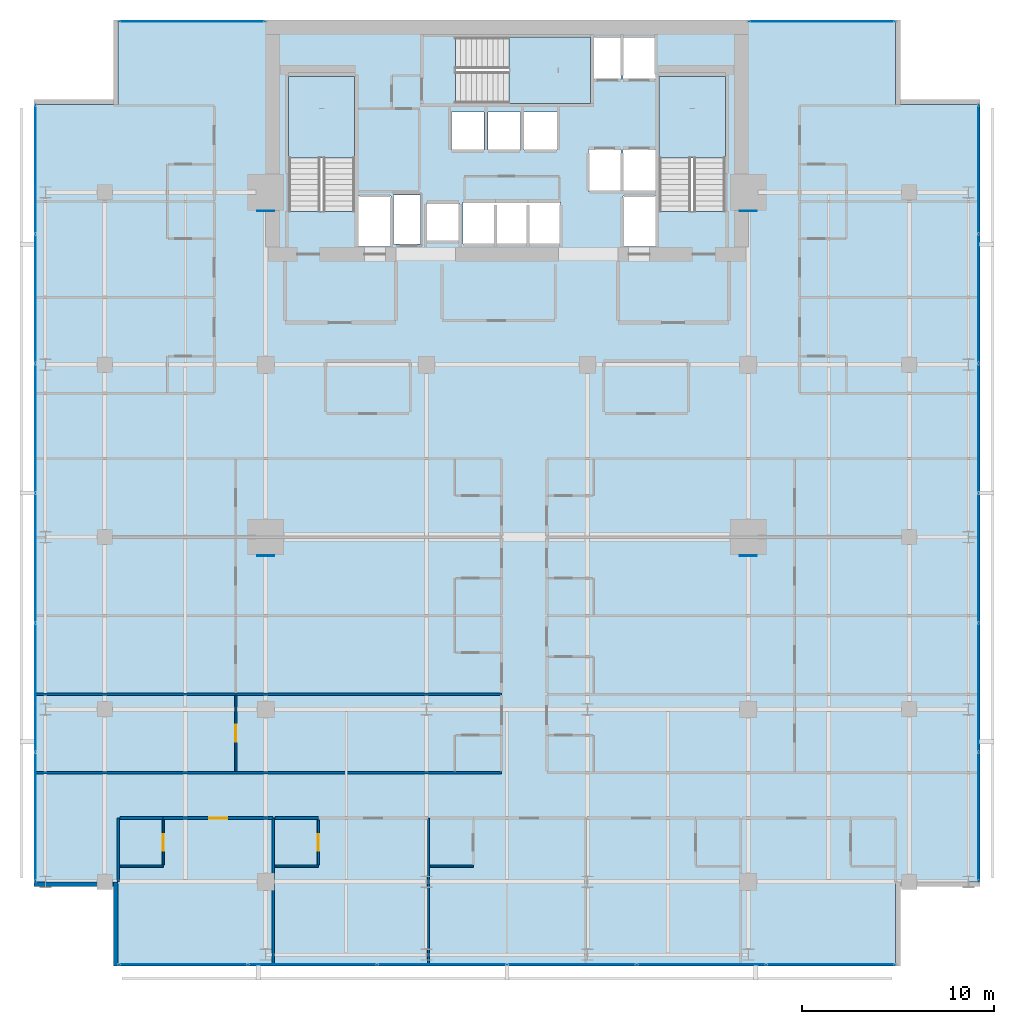
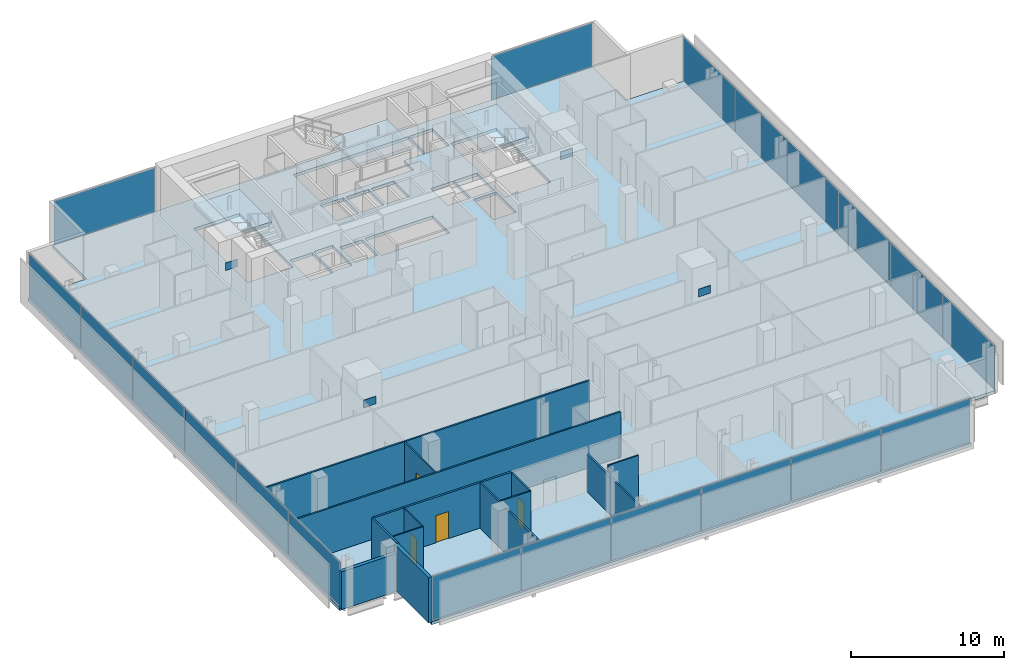
# One storey, part 26 of 34: 24 plates, 16 walls, 4 doors, 4 slabs, 4 openings, 8 elements without a shape of their own.
"""IFC4 building model written with IfcOpenShell, lengths in metres."""

from ifc_helpers import new_model, si_unit, direction, frame, frame_2d, origin, origin_2d, place, context, subcontext, project, spatial, polyline, rectangle, outline, extrude, material, layer, layer_set, type_object, element, fill, aggregate, save


model = new_model("IFC4")

# Units and contexts
model_context = context("Model", 3, precision=1e-05, world=origin(), true_north=direction((0.0, 1.0)))
body_context = subcontext(model_context, "Body", "Model", "MODEL_VIEW")
ifc_project = project(units=[si_unit("LENGTHUNIT", "METRE"), si_unit("AREAUNIT", "SQUARE_METRE"), si_unit("VOLUMEUNIT", "CUBIC_METRE"), si_unit("PLANEANGLEUNIT", "RADIAN"), si_unit("MASSUNIT", "GRAM", prefix="KILO")], contexts=[model_context])

# Site, building, storey
site_placement = place(None, origin())
site = spatial("IfcSite", under=ifc_project, at=site_placement, CompositionType="ELEMENT")
building_placement = place(site_placement, origin())
building = spatial("IfcBuilding", under=site, at=building_placement, Name="Maruvema Waterfront Hotel and Observation Tower", CompositionType="ELEMENT")
storey_placement = place(building_placement, frame((0.0, 0.0, 173.60009765625)))
storey = spatial("IfcBuildingStorey", under=building, at=storey_placement, Name="L42", CompositionType="ELEMENT", Elevation=173.60009765625)

# Slab
ifc_material_1 = material(Name="Concrete C50/60", Category="concrete")
ifc_layer_1 = layer(ifc_material_1, 0.239990234375, Name="Reinforced Concrete Floor Slab 240 mm")
ifc_layer_set_1 = layer_set([ifc_layer_1], Name="Concrete C50/60")
slab_type_1 = type_object("IfcSlabType", Name="Reinforced Concrete Floor Slab 240 mm", PredefinedType="FLOOR", material=ifc_layer_set_1)
slab_1_placement = place(storey_placement, frame((0.0, 0.0, -0.239990234375)))
element("IfcSlab", 1, at=slab_1_placement, inside=storey, type_object=slab_type_1, Name="L42 Structural Floor Slab", PredefinedType="FLOOR", context=body_context, shape_type="SweptSolid", body=[
    extrude(outline(polyline([(17.5, 4.60009765625), (58.10009765625, 4.60009765625), (58.10009765625, 9.0), (62.5, 9.0), (62.5, 49.60009765625), (58.10009765625, 49.60009765625), (58.10009765625, 54.0), (17.5, 54.0), (17.5, 49.60009765625), (13.10009765625, 49.60009765625), (13.10009765625, 9.0), (17.5, 9.0), (17.5, 4.60009765625)]), holes=[polyline([(26.39990234375, 44.00048828125), (26.39990234375, 51.050048828125), (29.85009765625, 51.050048828125), (29.85009765625, 44.00048828125), (26.39990234375, 44.00048828125)]), polyline([(30.050048828125, 44.800048828125), (31.75, 44.800048828125), (31.75, 42.169921875), (30.050048828125, 42.169921875), (30.050048828125, 44.800048828125)]), polyline([(31.8798828125, 44.860107421875), (33.280029296875, 44.860107421875), (33.280029296875, 42.2900390625), (31.8798828125, 42.2900390625), (31.8798828125, 44.860107421875)]), polyline([(33.60009765625, 44.449951171875), (35.300048828125, 44.449951171875), (35.300048828125, 42.449951171875), (33.60009765625, 42.449951171875), (33.60009765625, 44.449951171875)]), polyline([(34.89990234375, 49.199951171875), (36.60009765625, 49.199951171875), (36.60009765625, 47.199951171875), (34.89990234375, 47.199951171875), (34.89990234375, 49.199951171875)]), polyline([(36.800048828125, 49.199951171875), (38.5, 49.199951171875), (38.5, 47.199951171875), (36.800048828125, 47.199951171875), (36.800048828125, 49.199951171875)]), polyline([(35.5, 42.300048828125), (35.5, 44.5), (40.60009765625, 44.5), (40.60009765625, 42.300048828125), (35.5, 42.300048828125)]), polyline([(35.1005859375, 53.10009765625), (43.75, 53.10009765625), (43.75, 50.89990234375), (42.14990234375, 50.89990234375), (42.14990234375, 49.64990234375), (35.1005859375, 49.64990234375), (35.1005859375, 53.10009765625)]), polyline([(38.699951171875, 49.199951171875), (40.39990234375, 49.199951171875), (40.39990234375, 47.199951171875), (38.699951171875, 47.199951171875), (38.699951171875, 49.199951171875)]), polyline([(42.050048828125, 47.25), (43.75, 47.25), (43.75, 45.050048828125), (42.050048828125, 45.050048828125), (42.050048828125, 47.25)]), polyline([(43.85009765625, 44.800048828125), (45.550048828125, 44.800048828125), (45.550048828125, 42.169921875), (43.85009765625, 42.169921875), (43.85009765625, 44.800048828125)]), polyline([(43.85009765625, 47.25), (45.550048828125, 47.25), (45.550048828125, 45.050048828125), (43.85009765625, 45.050048828125), (43.85009765625, 47.25)]), polyline([(45.550048828125, 53.10009765625), (45.550048828125, 50.89990234375), (43.85009765625, 50.89990234375), (43.85009765625, 53.10009765625), (45.550048828125, 53.10009765625)]), polyline([(45.75, 44.00048828125), (45.75, 51.050048828125), (49.199951171875, 51.050048828125), (49.199951171875, 44.00048828125), (45.75, 44.00048828125)])]), origin(), (0.0, 0.0, 1.0), 0.239990234375),
])

# Curtain wall, plates
ifc_material_2 = material(Name="Anodised bronze aluminium and solar-control low-E IGU", Category="aluminium")
ifc_layer_2 = layer(ifc_material_2, 0.159912109375, Name="Zone 2 Amber Inner Thermal Curtain Wall System CW-03")
ifc_layer_set_2 = layer_set([ifc_layer_2], Name="Anodised bronze aluminium and solar-control low-E IGU")
curtain_wall_type = type_object("IfcCurtainWallType", Name="Zone 2 Amber Inner Thermal Curtain Wall System CW-03", PredefinedType="USERDEFINED", material=ifc_layer_set_2)
curtain_wall_1_placement = place(storey_placement, origin())
curtain_wall_1 = element("IfcCurtainWall", 2, at=curtain_wall_1_placement, inside=storey, type_object=curtain_wall_type, Name="L42 Curtain Wall CW-L42-S", ObjectType="UNITISED CURTAIN WALL", PredefinedType="USERDEFINED")
ifc_material_3 = material(Name="Laminated low-E solar-control double glazing", Category="glass")
ifc_layer_3 = layer(ifc_material_3, 0.035888671875, Name="Solar Control Double-Glazed Curtain Panel 36 mm")
ifc_layer_set_3 = layer_set([ifc_layer_3], Name="Laminated low-E solar-control double glazing")
plate_type_1 = type_object("IfcPlateType", Name="Solar Control Double-Glazed Curtain Panel 36 mm", PredefinedType="CURTAIN_PANEL", material=ifc_layer_set_3)
plate_1_placement = place(storey_placement, frame((20.8984375, 4.679931640625, 0.06005859375), z_axis=(0.0, 0.0, 1.0), x_axis=(1.0, 0.0, 0.0)))
plate_1 = element("IfcPlate", 3, at=plate_1_placement, type_object=plate_type_1, Name="CW-03 panel 1.1", PredefinedType="CURTAIN_PANEL", context=body_context, shape_type="SweptSolid", body=[
    extrude(rectangle(XDim=6.6767578125, YDim=0.028076171875, at=origin_2d()), origin(), (0.0, 0.0, 1.0), 3.489990234375),
])
plate_2_placement = place(storey_placement, frame((27.64990234375, 4.679931640625, 0.06005859375), z_axis=(0.0, 0.0, 1.0), x_axis=(1.0, 0.0, 0.0)))
plate_2 = element("IfcPlate", 4, at=plate_2_placement, type_object=plate_type_1, Name="CW-03 panel 2.1", PredefinedType="CURTAIN_PANEL", context=body_context, shape_type="SweptSolid", body=[
    extrude(rectangle(XDim=6.706787109375, YDim=0.028076171875, at=origin_2d()), origin(), (0.0, 0.0, 1.0), 3.489990234375),
])
plate_3_placement = place(storey_placement, frame((34.416748046875, 4.679931640625, 0.06005859375), z_axis=(0.0, 0.0, 1.0), x_axis=(1.0, 0.0, 0.0)))
plate_3 = element("IfcPlate", 5, at=plate_3_placement, type_object=plate_type_1, Name="CW-03 panel 3.1", PredefinedType="CURTAIN_PANEL", context=body_context, shape_type="SweptSolid", body=[
    extrude(rectangle(XDim=6.706787109375, YDim=0.028076171875, at=origin_2d()), origin(), (0.0, 0.0, 1.0), 3.489990234375),
])
plate_4_placement = place(storey_placement, frame((41.183349609375, 4.679931640625, 0.06005859375), z_axis=(0.0, 0.0, 1.0), x_axis=(1.0, 0.0, 0.0)))
plate_4 = element("IfcPlate", 6, at=plate_4_placement, type_object=plate_type_1, Name="CW-03 panel 4.1", PredefinedType="CURTAIN_PANEL", context=body_context, shape_type="SweptSolid", body=[
    extrude(rectangle(XDim=6.706787109375, YDim=0.028076171875, at=origin_2d()), origin(), (0.0, 0.0, 1.0), 3.489990234375),
])
plate_5_placement = place(storey_placement, frame((47.949951171875, 4.679931640625, 0.06005859375), z_axis=(0.0, 0.0, 1.0), x_axis=(1.0, 0.0, 0.0)))
plate_5 = element("IfcPlate", 7, at=plate_5_placement, type_object=plate_type_1, Name="CW-03 panel 5.1", PredefinedType="CURTAIN_PANEL", context=body_context, shape_type="SweptSolid", body=[
    extrude(rectangle(XDim=6.706787109375, YDim=0.028076171875, at=origin_2d()), origin(), (0.0, 0.0, 1.0), 3.489990234375),
])
plate_6_placement = place(storey_placement, frame((54.70166015625, 4.679931640625, 0.06005859375), z_axis=(0.0, 0.0, 1.0), x_axis=(1.0, 0.0, 0.0)))
plate_6 = element("IfcPlate", 8, at=plate_6_placement, type_object=plate_type_1, Name="CW-03 panel 6.1", PredefinedType="CURTAIN_PANEL", context=body_context, shape_type="SweptSolid", body=[
    extrude(rectangle(XDim=6.6767578125, YDim=0.028076171875, at=origin_2d()), origin(), (0.0, 0.0, 1.0), 3.489990234375),
])
aggregate(curtain_wall_1, [plate_1, plate_2, plate_3, plate_4, plate_5, plate_6])

curtain_wall_2_placement = place(storey_placement, origin())
curtain_wall_2 = element("IfcCurtainWall", 9, at=curtain_wall_2_placement, inside=storey, type_object=curtain_wall_type, Name="L42 Curtain Wall CW-L42-E", ObjectType="UNITISED CURTAIN WALL", PredefinedType="USERDEFINED")
plate_7_placement = place(storey_placement, frame((62.419921875, 12.3984375, 0.06005859375), z_axis=(0.0, 0.0, 1.0), x_axis=(0.0, 1.0, 0.0)))
plate_7 = element("IfcPlate", 10, at=plate_7_placement, type_object=plate_type_1, Name="CW-03 panel 1.1", PredefinedType="CURTAIN_PANEL", context=body_context, shape_type="SweptSolid", body=[
    extrude(rectangle(XDim=6.6767578125, YDim=0.028076171875, at=origin_2d()), origin(), (0.0, 0.0, 1.0), 3.489990234375),
])
plate_8_placement = place(storey_placement, frame((62.419921875, 19.14990234375, 0.06005859375), z_axis=(0.0, 0.0, 1.0), x_axis=(0.0, 1.0, 0.0)))
plate_8 = element("IfcPlate", 11, at=plate_8_placement, type_object=plate_type_1, Name="CW-03 panel 2.1", PredefinedType="CURTAIN_PANEL", context=body_context, shape_type="SweptSolid", body=[
    extrude(rectangle(XDim=6.706787109375, YDim=0.028076171875, at=origin_2d()), origin(), (0.0, 0.0, 1.0), 3.489990234375),
])
plate_9_placement = place(storey_placement, frame((62.419921875, 25.916748046875, 0.06005859375), z_axis=(0.0, 0.0, 1.0), x_axis=(0.0, 1.0, 0.0)))
plate_9 = element("IfcPlate", 12, at=plate_9_placement, type_object=plate_type_1, Name="CW-03 panel 3.1", PredefinedType="CURTAIN_PANEL", context=body_context, shape_type="SweptSolid", body=[
    extrude(rectangle(XDim=6.706787109375, YDim=0.028076171875, at=origin_2d()), origin(), (0.0, 0.0, 1.0), 3.489990234375),
])
plate_10_placement = place(storey_placement, frame((62.419921875, 32.683349609375, 0.06005859375), z_axis=(0.0, 0.0, 1.0), x_axis=(0.0, 1.0, 0.0)))
plate_10 = element("IfcPlate", 13, at=plate_10_placement, type_object=plate_type_1, Name="CW-03 panel 4.1", PredefinedType="CURTAIN_PANEL", context=body_context, shape_type="SweptSolid", body=[
    extrude(rectangle(XDim=6.706787109375, YDim=0.028076171875, at=origin_2d()), origin(), (0.0, 0.0, 1.0), 3.489990234375),
])
plate_11_placement = place(storey_placement, frame((62.419921875, 39.449951171875, 0.06005859375), z_axis=(0.0, 0.0, 1.0), x_axis=(0.0, 1.0, 0.0)))
plate_11 = element("IfcPlate", 14, at=plate_11_placement, type_object=plate_type_1, Name="CW-03 panel 5.1", PredefinedType="CURTAIN_PANEL", context=body_context, shape_type="SweptSolid", body=[
    extrude(rectangle(XDim=6.706787109375, YDim=0.028076171875, at=origin_2d()), origin(), (0.0, 0.0, 1.0), 3.489990234375),
])
plate_12_placement = place(storey_placement, frame((62.419921875, 46.20166015625, 0.06005859375), z_axis=(0.0, 0.0, 1.0), x_axis=(0.0, 1.0, 0.0)))
plate_12 = element("IfcPlate", 15, at=plate_12_placement, type_object=plate_type_1, Name="CW-03 panel 6.1", PredefinedType="CURTAIN_PANEL", context=body_context, shape_type="SweptSolid", body=[
    extrude(rectangle(XDim=6.6767578125, YDim=0.028076171875, at=origin_2d()), origin(), (0.0, 0.0, 1.0), 3.489990234375),
])
aggregate(curtain_wall_2, [plate_7, plate_8, plate_9, plate_10, plate_11, plate_12])

curtain_wall_3_placement = place(storey_placement, origin())
curtain_wall_3 = element("IfcCurtainWall", 16, at=curtain_wall_3_placement, inside=storey, type_object=curtain_wall_type, Name="L42 Curtain Wall CW-L42-W", ObjectType="UNITISED CURTAIN WALL", PredefinedType="USERDEFINED")
plate_13_placement = place(storey_placement, frame((13.179931640625, 46.20166015625, 0.06005859375), z_axis=(0.0, 0.0, 1.0), x_axis=(0.0, -1.0, 0.0)))
plate_13 = element("IfcPlate", 17, at=plate_13_placement, type_object=plate_type_1, Name="CW-03 panel 1.1", PredefinedType="CURTAIN_PANEL", context=body_context, shape_type="SweptSolid", body=[
    extrude(rectangle(XDim=6.6767578125, YDim=0.028076171875, at=origin_2d()), origin(), (0.0, 0.0, 1.0), 3.489990234375),
])
plate_14_placement = place(storey_placement, frame((13.179931640625, 39.449951171875, 0.06005859375), z_axis=(0.0, 0.0, 1.0), x_axis=(0.0, -1.0, 0.0)))
plate_14 = element("IfcPlate", 18, at=plate_14_placement, type_object=plate_type_1, Name="CW-03 panel 2.1", PredefinedType="CURTAIN_PANEL", context=body_context, shape_type="SweptSolid", body=[
    extrude(rectangle(XDim=6.706787109375, YDim=0.028076171875, at=origin_2d()), origin(), (0.0, 0.0, 1.0), 3.489990234375),
])
plate_15_placement = place(storey_placement, frame((13.179931640625, 32.683349609375, 0.06005859375), z_axis=(0.0, 0.0, 1.0), x_axis=(0.0, -1.0, 0.0)))
plate_15 = element("IfcPlate", 19, at=plate_15_placement, type_object=plate_type_1, Name="CW-03 panel 3.1", PredefinedType="CURTAIN_PANEL", context=body_context, shape_type="SweptSolid", body=[
    extrude(rectangle(XDim=6.706787109375, YDim=0.028076171875, at=origin_2d()), origin(), (0.0, 0.0, 1.0), 3.489990234375),
])
plate_16_placement = place(storey_placement, frame((13.179931640625, 25.916748046875, 0.06005859375), z_axis=(0.0, 0.0, 1.0), x_axis=(0.0, -1.0, 0.0)))
plate_16 = element("IfcPlate", 20, at=plate_16_placement, type_object=plate_type_1, Name="CW-03 panel 4.1", PredefinedType="CURTAIN_PANEL", context=body_context, shape_type="SweptSolid", body=[
    extrude(rectangle(XDim=6.706787109375, YDim=0.028076171875, at=origin_2d()), origin(), (0.0, 0.0, 1.0), 3.489990234375),
])
plate_17_placement = place(storey_placement, frame((13.179931640625, 19.14990234375, 0.06005859375), z_axis=(0.0, 0.0, 1.0), x_axis=(0.0, -1.0, 0.0)))
plate_17 = element("IfcPlate", 21, at=plate_17_placement, type_object=plate_type_1, Name="CW-03 panel 5.1", PredefinedType="CURTAIN_PANEL", context=body_context, shape_type="SweptSolid", body=[
    extrude(rectangle(XDim=6.706787109375, YDim=0.028076171875, at=origin_2d()), origin(), (0.0, 0.0, 1.0), 3.489990234375),
])
plate_18_placement = place(storey_placement, frame((13.179931640625, 12.3984375, 0.06005859375), z_axis=(0.0, 0.0, 1.0), x_axis=(0.0, -1.0, 0.0)))
plate_18 = element("IfcPlate", 22, at=plate_18_placement, type_object=plate_type_1, Name="CW-03 panel 6.1", PredefinedType="CURTAIN_PANEL", context=body_context, shape_type="SweptSolid", body=[
    extrude(rectangle(XDim=6.6767578125, YDim=0.028076171875, at=origin_2d()), origin(), (0.0, 0.0, 1.0), 3.489990234375),
])
aggregate(curtain_wall_3, [plate_13, plate_14, plate_15, plate_16, plate_17, plate_18])

# Curtain wall, plate
curtain_wall_4_placement = place(storey_placement, origin())
curtain_wall_4 = element("IfcCurtainWall", 23, at=curtain_wall_4_placement, inside=storey, type_object=curtain_wall_type, Name="L42 Curtain Wall CW-L42-NW", ObjectType="UNITISED CURTAIN WALL", PredefinedType="USERDEFINED")
plate_19_placement = place(storey_placement, frame((21.35009765625, 53.919921875, 0.06005859375), z_axis=(0.0, 0.0, 1.0), x_axis=(-1.0, 0.0, 0.0)))
plate_19 = element("IfcPlate", 24, at=plate_19_placement, type_object=plate_type_1, Name="CW-03 panel 1.1", PredefinedType="CURTAIN_PANEL", context=body_context, shape_type="SweptSolid", body=[
    extrude(rectangle(XDim=7.580078125, YDim=0.028076171875, at=origin_2d()), origin(), (0.0, 0.0, 1.0), 3.489990234375),
])
aggregate(curtain_wall_4, [plate_19])

curtain_wall_5_placement = place(storey_placement, origin())
curtain_wall_5 = element("IfcCurtainWall", 25, at=curtain_wall_5_placement, inside=storey, type_object=curtain_wall_type, Name="L42 Curtain Wall CW-L42-NE", ObjectType="UNITISED CURTAIN WALL", PredefinedType="USERDEFINED")
plate_20_placement = place(storey_placement, frame((54.25, 53.919921875, 0.06005859375), z_axis=(0.0, 0.0, 1.0), x_axis=(-1.0, 0.0, 0.0)))
plate_20 = element("IfcPlate", 26, at=plate_20_placement, type_object=plate_type_1, Name="CW-03 panel 1.1", PredefinedType="CURTAIN_PANEL", context=body_context, shape_type="SweptSolid", body=[
    extrude(rectangle(XDim=7.580078125, YDim=0.028076171875, at=origin_2d()), origin(), (0.0, 0.0, 1.0), 3.489990234375),
])
aggregate(curtain_wall_5, [plate_20])

# Stair, slab
ifc_material_4 = material(Name="Concrete C50/60", Category="concrete")
stair_type = type_object("IfcStairType", Name="Dogleg Exit Stair 1650 mm (22R x 175.0 mm)", PredefinedType="HALF_TURN_STAIR", material=ifc_material_4)
stair_1_placement = place(storey_placement, origin())
stair_1 = element("IfcStair", 27, at=stair_1_placement, inside=storey, type_object=stair_type, Name="L42 ST-01", PredefinedType="HALF_TURN_STAIR")
ifc_material_5 = material(Name="Concrete C50/60", Category="concrete")
ifc_layer_4 = layer(ifc_material_5, 0.219970703125, Name="Stair Concrete Landing Slab 220 mm")
ifc_layer_set_4 = layer_set([ifc_layer_4], Name="Concrete C50/60")
slab_type_2 = type_object("IfcSlabType", Name="Stair Concrete Landing Slab 220 mm", PredefinedType="LANDING", material=ifc_layer_set_4)
slab_2_placement = place(storey_placement, frame((0.0, 0.0, 1.704833984375)))
slab_2 = element("IfcSlab", 28, at=slab_2_placement, type_object=slab_type_2, Name="ST-01 landing 1", PredefinedType="LANDING", context=body_context, shape_type="SweptSolid", body=[
    extrude(outline(polyline([(29.85009765625, 46.800048828125), (29.85009765625, 51.050048828125), (26.39990234375, 51.050048828125), (26.39990234375, 46.800048828125), (29.85009765625, 46.800048828125)])), origin(), (0.0, 0.0, 1.0), 0.219970703125),
])
aggregate(stair_1, [slab_2])

stair_2_placement = place(storey_placement, origin())
stair_2 = element("IfcStair", 29, at=stair_2_placement, inside=storey, type_object=stair_type, Name="L42 ST-02", PredefinedType="HALF_TURN_STAIR")
slab_3_placement = place(storey_placement, frame((0.0, 0.0, 1.704833984375)))
slab_3 = element("IfcSlab", 30, at=slab_3_placement, type_object=slab_type_2, Name="ST-02 landing 1", PredefinedType="LANDING", context=body_context, shape_type="SweptSolid", body=[
    extrude(outline(polyline([(37.89990234375, 49.64990234375), (42.14990234375, 49.64990234375), (42.14990234375, 53.10009765625), (37.89990234375, 53.10009765625), (37.89990234375, 49.64990234375)])), origin(), (0.0, 0.0, 1.0), 0.219970703125),
])
aggregate(stair_2, [slab_3])

stair_3_placement = place(storey_placement, origin())
stair_3 = element("IfcStair", 31, at=stair_3_placement, inside=storey, type_object=stair_type, Name="L42 ST-03", PredefinedType="HALF_TURN_STAIR")
slab_4_placement = place(storey_placement, frame((0.0, 0.0, 1.704833984375)))
slab_4 = element("IfcSlab", 32, at=slab_4_placement, type_object=slab_type_2, Name="ST-03 landing 1", PredefinedType="LANDING", context=body_context, shape_type="SweptSolid", body=[
    extrude(outline(polyline([(49.199951171875, 46.800048828125), (49.199951171875, 51.050048828125), (45.75, 51.050048828125), (45.75, 46.800048828125), (49.199951171875, 46.800048828125)])), origin(), (0.0, 0.0, 1.0), 0.219970703125),
])
aggregate(stair_3, [slab_4])

# Plates
ifc_material_6 = material(Name="Steel ABNT NBR 7007 AR 415 (ASTM A572 Grade 50)", Category="steel")
ifc_layer_5 = layer(ifc_material_6, 0.0400390625, Name="Structural Truss Node Gusset Plate 40 mm")
ifc_layer_set_5 = layer_set([ifc_layer_5], Name="Steel ABNT NBR 7007 AR 415 (ASTM A572 Grade 50)")
plate_type_2 = type_object("IfcPlateType", Name="Structural Truss Node Gusset Plate 40 mm", PredefinedType="USERDEFINED", material=ifc_layer_set_5)
for number, where, z_axis, x_axis, name in (
    (33, (25.199951171875, 26.030029296875, 1.499755859375), (0.0, 0.0, 1.0), (1.0, 0.0, 0.0), "L42 MC-01 Moment Frame Continuity Gusset Plate"),
    (34, (50.39990234375, 26.030029296875, 1.499755859375), (0.0, 0.0, 1.0), (1.0, 0.0, 0.0), "L42 MC-02 Moment Frame Continuity Gusset Plate"),
    (35, (25.199951171875, 44.030029296875, 1.499755859375), (0.0, 0.0, 1.0), (1.0, 0.0, 0.0), "L42 MC-03 Moment Frame Continuity Gusset Plate"),
    (36, (50.39990234375, 44.030029296875, 1.499755859375), (0.0, 0.0, 1.0), (1.0, 0.0, 0.0), "L42 MC-04 Moment Frame Continuity Gusset Plate"),
):
    element("IfcPlate", number, at=place(storey_placement, frame(where, z_axis=z_axis, x_axis=x_axis)), inside=storey, type_object=plate_type_2, Name=name, ObjectType="GUSSET_PLATE", PredefinedType="USERDEFINED", context=body_context, shape_type="SweptSolid", body=[
        extrude(rectangle(XDim=0.89990234375, YDim=0.0400390625, at=origin_2d()), origin(), (0.0, 0.0, 1.0), 0.60009765625),
    ])

# Wall
ifc_material_7 = material(Name="Twin-stud acoustic gypsum drywall", Category="gypsum")
ifc_layer_6 = layer(ifc_material_7, 0.14990234375, Name="Acoustic Corridor and Suite Demising Wall 150 mm")
ifc_layer_set_6 = layer_set([ifc_layer_6], Name="Twin-stud acoustic gypsum drywall")
wall_type_1 = type_object("IfcWallType", Name="Acoustic Corridor and Suite Demising Wall 150 mm", PredefinedType="PARTITIONING", material=ifc_layer_set_6)
wall_1_placement = place(storey_placement, frame((17.580078125, 12.320068359375, 0.0), z_axis=(0.0, 0.0, 1.0), x_axis=(1.0, 0.0, 0.0)))
element("IfcWall", 37, at=wall_1_placement, inside=storey, type_object=wall_type_1, Name="L42 Bath L42-S1 Back Wall 031", PredefinedType="PARTITIONING", context=body_context, shape_type="SweptSolid", body=[
    extrude(rectangle(XDim=2.27001953125, YDim=0.14990234375, at=frame_2d((1.135009765625, 0.0))), origin(), (0.0, 0.0, 1.0), 3.60986328125),
])

# Wall, opening, door
wall_2_placement = place(storey_placement, frame((19.85009765625, 12.320068359375, 0.0), z_axis=(0.0, 0.0, 1.0), x_axis=(1.0, 0.0, 0.0)))
wall_2 = element("IfcWall", 38, at=wall_2_placement, inside=storey, type_object=wall_type_1, Name="L42 Unit L42-S1 Corridor Wall 034", PredefinedType="PARTITIONING", context=body_context, shape_type="SweptSolid", body=[
    extrude(rectangle(XDim=5.72998046875, YDim=0.14990234375, at=frame_2d((2.864990234375, 0.0))), origin(), (0.0, 0.0, 1.0), 3.60986328125),
])
opening_1_placement = place(wall_2_placement, frame((2.389892578125, 0.0, 0.0)))
opening_1 = element("IfcOpeningElement", 39, at=opening_1_placement, cuts=wall_2, Name="Opening DR-095", PredefinedType="OPENING", context=body_context, shape_type="SweptSolid", body=[
    extrude(rectangle(XDim=0.949951171875, YDim=2.14990234375, at=frame_2d((0.47509765625, 1.074951171875))), frame((0.0, 0.0849609375, 0.0), z_axis=(0.0, -1.0, 0.0), x_axis=(1.0, 0.0, 0.0)), (0.0, 0.0, 1.0), 0.169921875),
])
ifc_material_8 = material(Name="Acoustic solid-core hardwood timber leaf", Category="wood")
door_type_1 = type_object("IfcDoorType", Name="Guestroom Entrance Fire Door 950x2150 mm", OperationType="NOTDEFINED", PredefinedType="DOOR", material=ifc_material_8)
door_1_placement = place(opening_1_placement, frame((0.949951171875, 0.0, 0.0), z_axis=(0.0, 0.0, 1.0), x_axis=(-1.0, 0.0, 0.0)))
door_1 = element("IfcDoor", 40, at=door_1_placement, inside=storey, type_object=door_type_1, Name="L42 Unit L42-S1 Entrance Door", OperationType="SINGLE_SWING_LEFT", OverallHeight=2.14990234375, OverallWidth=0.949951171875, PredefinedType="DOOR", context=body_context, shape_type="SweptSolid", body=[
    extrude(rectangle(XDim=0.949951171875, YDim=2.14990234375, at=frame_2d((0.47509765625, 1.074951171875))), frame((0.0, 0.02490234375, 0.0), z_axis=(0.0, -1.0, 0.0), x_axis=(1.0, 0.0, 0.0)), (0.0, 0.0, 1.0), 0.050048828125),
])
fill(opening_1, door_1)

# Walls
wall_3_placement = place(storey_placement, frame((25.679931640625, 12.320068359375, 0.0), z_axis=(0.0, 0.0, 1.0), x_axis=(1.0, 0.0, 0.0)))
element("IfcWall", 41, at=wall_3_placement, inside=storey, type_object=wall_type_1, Name="L42 Bath L42-S2 Back Wall 036", PredefinedType="PARTITIONING", context=body_context, shape_type="SweptSolid", body=[
    extrude(rectangle(XDim=2.27001953125, YDim=0.14990234375, at=frame_2d((1.135009765625, 0.0))), origin(), (0.0, 0.0, 1.0), 3.60986328125),
])
ifc_material_9 = material(Name="Moisture-resistant cement-board drywall", Category="gypsum")
ifc_layer_7 = layer(ifc_material_9, 0.10009765625, Name="En-Suite Moisture-Resistant Partition 100 mm")
ifc_layer_set_7 = layer_set([ifc_layer_7], Name="Moisture-resistant cement-board drywall")
wall_type_2 = type_object("IfcWallType", Name="En-Suite Moisture-Resistant Partition 100 mm", PredefinedType="PARTITIONING", material=ifc_layer_set_7)
wall_4_placement = place(storey_placement, frame((17.580078125, 9.820068359375, 0.0), z_axis=(0.0, 0.0, 1.0), x_axis=(1.0, 0.0, 0.0)))
element("IfcWall", 42, at=wall_4_placement, inside=storey, type_object=wall_type_2, Name="L42 En-Suite L42-S1 South 032", PredefinedType="PARTITIONING", context=body_context, shape_type="SweptSolid", body=[
    extrude(rectangle(XDim=2.27001953125, YDim=0.10009765625, at=frame_2d((1.135009765625, 0.0))), origin(), (0.0, 0.0, 1.0), 3.60986328125),
])

# Wall, opening, door
wall_5_placement = place(storey_placement, frame((19.85009765625, 9.8798828125, 0.0), z_axis=(0.0, 0.0, 1.0), x_axis=(0.0, 1.0, 0.0)))
wall_5 = element("IfcWall", 43, at=wall_5_placement, inside=storey, type_object=wall_type_2, Name="L42 En-Suite L42-S1 East 033", PredefinedType="PARTITIONING", context=body_context, shape_type="SweptSolid", body=[
    extrude(rectangle(XDim=2.340087890625, YDim=0.10009765625, at=frame_2d((1.169921875, 0.0))), origin(), (0.0, 0.0, 1.0), 3.60986328125),
])
opening_2_placement = place(wall_5_placement, frame((0.7451171875, 0.0, 0.0)))
opening_2 = element("IfcOpeningElement", 44, at=opening_2_placement, cuts=wall_5, Name="Opening DR-085", PredefinedType="OPENING", context=body_context, shape_type="SweptSolid", body=[
    extrude(rectangle(XDim=0.85009765625, YDim=2.10009765625, at=frame_2d((0.425048828125, 1.050048828125))), frame((0.0, 0.06005859375, 0.0), z_axis=(0.0, -1.0, 0.0), x_axis=(1.0, 0.0, 0.0)), (0.0, 0.0, 1.0), 0.1201171875),
])
ifc_material_10 = material(Name="Moisture-resistant solid timber leaf", Category="wood")
door_type_2 = type_object("IfcDoorType", Name="En-Suite Bathroom Door 850x2100 mm", OperationType="NOTDEFINED", PredefinedType="DOOR", material=ifc_material_10)
door_2_placement = place(opening_2_placement, frame((0.85009765625, 0.0, 0.0), z_axis=(0.0, 0.0, 1.0), x_axis=(-1.0, 0.0, 0.0)))
door_2 = element("IfcDoor", 45, at=door_2_placement, inside=storey, type_object=door_type_2, Name="L42 En-Suite L42-S1 Door", OperationType="SINGLE_SWING_RIGHT", OverallHeight=2.10009765625, OverallWidth=0.85009765625, PredefinedType="DOOR", context=body_context, shape_type="SweptSolid", body=[
    extrude(rectangle(XDim=0.85009765625, YDim=2.10009765625, at=frame_2d((0.425048828125, 1.050048828125))), frame((0.0, 0.02490234375, 0.0), z_axis=(0.0, -1.0, 0.0), x_axis=(1.0, 0.0, 0.0)), (0.0, 0.0, 1.0), 0.050048828125),
])
fill(opening_2, door_2)

# Wall
wall_6_placement = place(storey_placement, frame((25.679931640625, 9.820068359375, 0.0), z_axis=(0.0, 0.0, 1.0), x_axis=(1.0, 0.0, 0.0)))
element("IfcWall", 46, at=wall_6_placement, inside=storey, type_object=wall_type_2, Name="L42 En-Suite L42-S2 South 037", PredefinedType="PARTITIONING", context=body_context, shape_type="SweptSolid", body=[
    extrude(rectangle(XDim=2.27001953125, YDim=0.10009765625, at=frame_2d((1.135009765625, 0.0))), origin(), (0.0, 0.0, 1.0), 3.60986328125),
])

# Wall, opening, door
wall_7_placement = place(storey_placement, frame((27.949951171875, 9.8798828125, 0.0), z_axis=(0.0, 0.0, 1.0), x_axis=(0.0, 1.0, 0.0)))
wall_7 = element("IfcWall", 47, at=wall_7_placement, inside=storey, type_object=wall_type_2, Name="L42 En-Suite L42-S2 East 038", PredefinedType="PARTITIONING", context=body_context, shape_type="SweptSolid", body=[
    extrude(rectangle(XDim=2.340087890625, YDim=0.10009765625, at=frame_2d((1.169921875, 0.0))), origin(), (0.0, 0.0, 1.0), 3.60986328125),
])
opening_3_placement = place(wall_7_placement, frame((0.7451171875, 0.0, 0.0)))
opening_3 = element("IfcOpeningElement", 48, at=opening_3_placement, cuts=wall_7, Name="Opening DR-085", PredefinedType="OPENING", context=body_context, shape_type="SweptSolid", body=[
    extrude(rectangle(XDim=0.85009765625, YDim=2.10009765625, at=frame_2d((0.425048828125, 1.050048828125))), frame((0.0, 0.06005859375, 0.0), z_axis=(0.0, -1.0, 0.0), x_axis=(1.0, 0.0, 0.0)), (0.0, 0.0, 1.0), 0.1201171875),
])
door_3_placement = place(opening_3_placement, frame((0.85009765625, 0.0, 0.0), z_axis=(0.0, 0.0, 1.0), x_axis=(-1.0, 0.0, 0.0)))
door_3 = element("IfcDoor", 49, at=door_3_placement, inside=storey, type_object=door_type_2, Name="L42 En-Suite L42-S2 Door", OperationType="SINGLE_SWING_RIGHT", OverallHeight=2.10009765625, OverallWidth=0.85009765625, PredefinedType="DOOR", context=body_context, shape_type="SweptSolid", body=[
    extrude(rectangle(XDim=0.85009765625, YDim=2.10009765625, at=frame_2d((0.425048828125, 1.050048828125))), frame((0.0, 0.02490234375, 0.0), z_axis=(0.0, -1.0, 0.0), x_axis=(1.0, 0.0, 0.0)), (0.0, 0.0, 1.0), 0.050048828125),
])
fill(opening_3, door_3)

# Wall
wall_8_placement = place(storey_placement, frame((33.780029296875, 9.820068359375, 0.0), z_axis=(0.0, 0.0, 1.0), x_axis=(1.0, 0.0, 0.0)))
element("IfcWall", 50, at=wall_8_placement, inside=storey, type_object=wall_type_2, Name="L42 En-Suite L42-S3 South 042", PredefinedType="PARTITIONING", context=body_context, shape_type="SweptSolid", body=[
    extrude(rectangle(XDim=2.27001953125, YDim=0.10009765625, at=frame_2d((1.135009765625, 0.0))), origin(), (0.0, 0.0, 1.0), 3.60986328125),
])

# Wall, opening, door
wall_9_placement = place(storey_placement, frame((23.6455078125, 14.760009765625, 0.0), z_axis=(0.0, 0.0, 1.0), x_axis=(0.0, 1.0, 0.0)))
wall_9 = element("IfcWall", 51, at=wall_9_placement, inside=storey, type_object=wall_type_2, Name="L42 Suite L42-W1 Split 063", PredefinedType="PARTITIONING", context=body_context, shape_type="SweptSolid", body=[
    extrude(rectangle(XDim=3.97998046875, YDim=0.10009765625, at=frame_2d((1.989990234375, 0.0))), origin(), (0.0, 0.0, 1.0), 3.60986328125),
])
opening_4_placement = place(wall_9_placement, frame((1.5400390625, 0.0, 0.0)))
opening_4 = element("IfcOpeningElement", 52, at=opening_4_placement, cuts=wall_9, Name="Opening DR-090", PredefinedType="OPENING", context=body_context, shape_type="SweptSolid", body=[
    extrude(rectangle(XDim=0.89990234375, YDim=2.10009765625, at=frame_2d((0.449951171875, 1.050048828125))), frame((0.0, 0.06005859375, 0.0), z_axis=(0.0, -1.0, 0.0), x_axis=(1.0, 0.0, 0.0)), (0.0, 0.0, 1.0), 0.1201171875),
])
ifc_material_11 = material(Name="Solid-core lacquered timber leaf", Category="wood")
door_type_3 = type_object("IfcDoorType", Name="Accessible Toilet and Room Door 900x2100 mm", OperationType="NOTDEFINED", PredefinedType="DOOR", material=ifc_material_11)
door_4_placement = place(opening_4_placement, origin())
door_4 = element("IfcDoor", 53, at=door_4_placement, inside=storey, type_object=door_type_3, Name="L42 Suite L42-W1 Bedroom Door", OperationType="SINGLE_SWING_RIGHT", OverallHeight=2.10009765625, OverallWidth=0.89990234375, PredefinedType="DOOR", context=body_context, shape_type="SweptSolid", body=[
    extrude(rectangle(XDim=0.89990234375, YDim=2.10009765625, at=frame_2d((0.449951171875, 1.050048828125))), frame((0.0, 0.02490234375, 0.0), z_axis=(0.0, -1.0, 0.0), x_axis=(1.0, 0.0, 0.0)), (0.0, 0.0, 1.0), 0.050048828125),
])
fill(opening_4, door_4)

# Walls
ifc_material_12 = material(Name="Precast concrete C45/55 with honed Pernambuco granite facing", Category="masonry")
ifc_layer_8 = layer(ifc_material_12, 0.260009765625, Name="Exterior Granite Clad Spandrel and Pier Wall 260 mm")
ifc_layer_set_8 = layer_set([ifc_layer_8], Name="Precast concrete C45/55 with honed Pernambuco granite facing")
wall_type_3 = type_object("IfcWallType", Name="Exterior Granite Clad Spandrel and Pier Wall 260 mm", PredefinedType="SOLIDWALL", material=ifc_layer_set_8)
wall_10_placement = place(storey_placement, frame((17.3701171875, 4.60009765625, 0.0), z_axis=(0.0, 0.0, 1.0), x_axis=(0.0, 1.0, 0.0)))
element("IfcWall", 54, at=wall_10_placement, inside=storey, type_object=wall_type_3, Name="L42 Corner Notch Granite Pier Wall SW1", PredefinedType="SOLIDWALL", context=body_context, shape_type="SweptSolid", body=[
    extrude(rectangle(XDim=4.39990234375, YDim=0.260009765625, at=frame_2d((2.199951171875, 0.0))), origin(), (0.0, 0.0, 1.0), 3.60986328125),
])
wall_11_placement = place(storey_placement, frame((17.5, 8.8701171875, 0.0), z_axis=(0.0, 0.0, 1.0), x_axis=(-1.0, 0.0, 0.0)))
element("IfcWall", 55, at=wall_11_placement, inside=storey, type_object=wall_type_3, Name="L42 Corner Notch Granite Pier Wall SW2", PredefinedType="SOLIDWALL", context=body_context, shape_type="SweptSolid", body=[
    extrude(rectangle(XDim=4.39990234375, YDim=0.260009765625, at=frame_2d((2.199951171875, 0.0))), origin(), (0.0, 0.0, 1.0), 3.0068359375),
])
ifc_material_13 = material(Name="Acoustic gypsum plasterboard drywall", Category="gypsum")
ifc_layer_9 = layer(ifc_material_13, 0.125, Name="Guestroom Acoustic Demising Wall 125 mm")
ifc_layer_set_9 = layer_set([ifc_layer_9], Name="Acoustic gypsum plasterboard drywall")
wall_type_4 = type_object("IfcWallType", Name="Guestroom Acoustic Demising Wall 125 mm", PredefinedType="PARTITIONING", material=ifc_layer_set_9)
wall_12_placement = place(storey_placement, frame((17.5, 9.0, 0.0), z_axis=(0.0, 0.0, 1.0), x_axis=(0.0, 1.0, 0.0)))
element("IfcWall", 56, at=wall_12_placement, inside=storey, type_object=wall_type_4, Name="L42 Z2 S West End 029", PredefinedType="PARTITIONING", context=body_context, shape_type="SweptSolid", body=[
    extrude(rectangle(XDim=3.320068359375, YDim=0.125, at=frame_2d((1.66015625, 0.0))), origin(), (0.0, 0.0, 1.0), 3.60986328125),
])
wall_13_placement = place(storey_placement, frame((25.60009765625, 4.699951171875, 0.0), z_axis=(0.0, 0.0, 1.0), x_axis=(0.0, 1.0, 0.0)))
element("IfcWall", 57, at=wall_13_placement, inside=storey, type_object=wall_type_4, Name="L42 Z2 S Demising 2 035", PredefinedType="PARTITIONING", context=body_context, shape_type="SweptSolid", body=[
    extrude(rectangle(XDim=7.6201171875, YDim=0.125, at=frame_2d((3.81005859375, 0.0))), origin(), (0.0, 0.0, 1.0), 3.60986328125),
])
wall_14_placement = place(storey_placement, frame((33.699951171875, 4.699951171875, 0.0), z_axis=(0.0, 0.0, 1.0), x_axis=(0.0, 1.0, 0.0)))
element("IfcWall", 58, at=wall_14_placement, inside=storey, type_object=wall_type_4, Name="L42 Z2 S Demising 3 040", PredefinedType="PARTITIONING", context=body_context, shape_type="SweptSolid", body=[
    extrude(rectangle(XDim=7.6201171875, YDim=0.125, at=frame_2d((3.81005859375, 0.0))), origin(), (0.0, 0.0, 1.0), 3.0068359375),
])
for number, where, z_axis, x_axis, name in (
    (59, (13.199951171875, 14.699951171875, 0.0), (0.0, 0.0, 1.0), (1.0, 0.0, 0.0), "L42 Z2 W Bot End 055"),
    (60, (13.199951171875, 18.800048828125, 0.0), (0.0, 0.0, 1.0), (1.0, 0.0, 0.0), "L42 Z2 W Demising 2 069"),
):
    element("IfcWall", number, at=place(storey_placement, frame(where, z_axis=z_axis, x_axis=x_axis)), inside=storey, type_object=wall_type_4, Name=name, PredefinedType="PARTITIONING", context=body_context, shape_type="SweptSolid", body=[
        extrude(rectangle(XDim=24.320068359375, YDim=0.125, at=frame_2d((12.16015625, 0.0))), origin(), (0.0, 0.0, 1.0), 3.60986328125),
    ])

save(model, "model.ifc")
